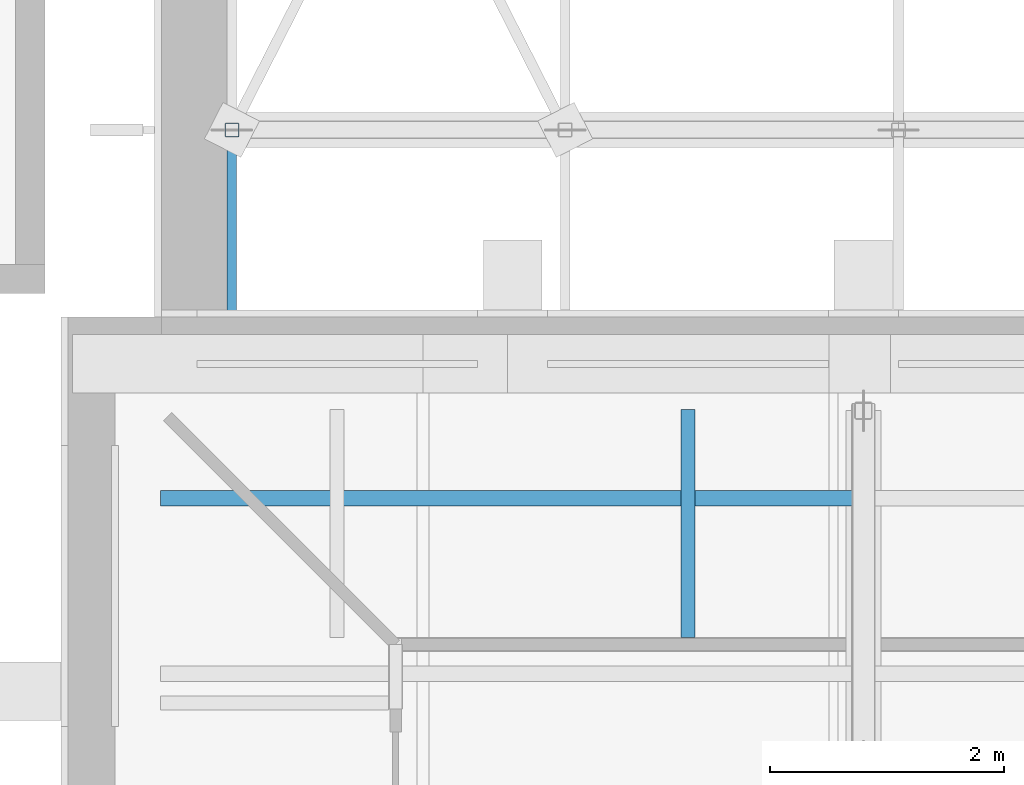
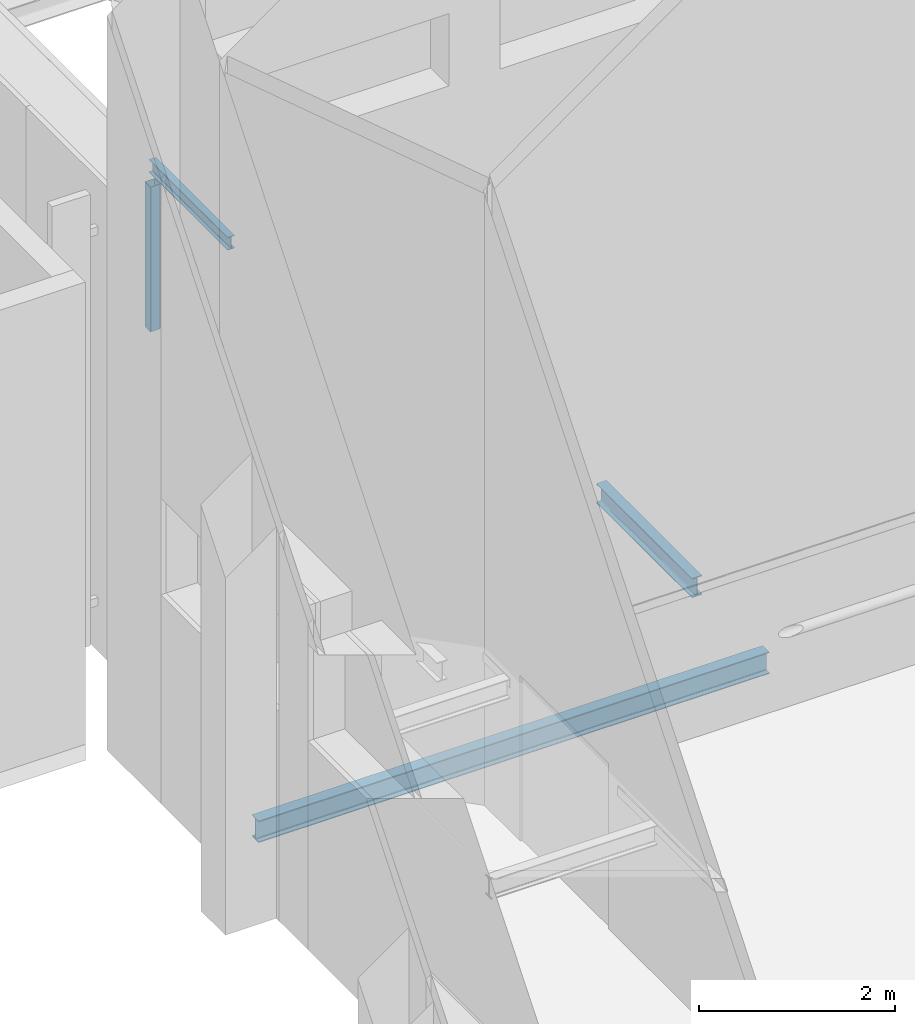
# One storey, part 29 of 55: 3 members, 1 beam.
"""IFC4 building model written with IfcOpenShell, lengths in metres."""

from ifc_helpers import new_model, si_unit, direction, frame, origin, origin_2d, place, context, subcontext, project, spatial, hollow_rectangle, i_section, extrude, material, material_profile, profile_set, type_object, element, save


model = new_model("IFC4")

# Units and contexts
model_context = context("Model", 3, precision=1e-05, world=origin(), true_north=direction((0.0, 1.0)))
body_context = subcontext(model_context, "Body", "Model", "MODEL_VIEW")
ifc_project = project(units=[si_unit("LENGTHUNIT", "METRE"), si_unit("AREAUNIT", "SQUARE_METRE"), si_unit("VOLUMEUNIT", "CUBIC_METRE"), si_unit("PLANEANGLEUNIT", "RADIAN"), si_unit("MASSUNIT", "GRAM", prefix="KILO")], contexts=[model_context])

# Site, building, storey
site_placement = place(None, origin())
site = spatial("IfcSite", under=ifc_project, at=site_placement, CompositionType="ELEMENT")
building_placement = place(site_placement, origin())
building = spatial("IfcBuilding", under=site, at=building_placement, Name="Lunette Opera House", CompositionType="ELEMENT")
storey_placement = place(building_placement, frame((0.0, 0.0, 34.0)))
storey = spatial("IfcBuildingStorey", under=building, at=storey_placement, Name="L06", CompositionType="ELEMENT", Elevation=34.0)

# Members
ifc_material_1 = material(Name="Steel S355", Category="steel")
ifc_material_profile_1 = material_profile(ifc_material_1, i_section(OverallWidth=0.1201171875, OverallDepth=0.239990234375, WebThickness=0.006103515625, FlangeThickness=0.009765625, FilletRadius=0.014892578125, at=origin_2d()), Name="IPE 240")
ifc_profile_set_1 = profile_set([ifc_material_profile_1], Name="Steel S355")
member_type_1 = type_object("IfcMemberType", Name="BRACKET IPE 240", PredefinedType="MEMBER", material=ifc_profile_set_1)
member_1_placement = place(storey_placement, frame((88.5, 120.010009765625, 1.820068359375), z_axis=(0.0, -1.0, 0.0), x_axis=(1.0, 0.0, 0.0)))
element("IfcMember", 1, at=member_1_placement, inside=storey, type_object=member_type_1, Name="mem-ST-L06-LOFT-BKN885-1200", PredefinedType="MEMBER", context=body_context, shape_type="SweptSolid", body=[
    extrude(i_section(OverallWidth=0.1201171875, OverallDepth=0.239990234375, WebThickness=0.006103515625, FlangeThickness=0.009765625, FilletRadius=0.014892578125, at=origin_2d()), origin(), (0.0, 0.0, 1.0), 1.949951171875),
])
ifc_material_2 = material(Name="Steel S355", Category="steel")
ifc_material_profile_2 = material_profile(ifc_material_2, i_section(OverallWidth=0.08203125, OverallDepth=0.159912109375, WebThickness=0.0048828125, FlangeThickness=0.00732421875, FilletRadius=0.009033203125, at=origin_2d()), Name="IPE 160")
ifc_profile_set_2 = profile_set([ifc_material_profile_2], Name="Steel S355")
member_type_2 = type_object("IfcMemberType", Name="PURLIN IPE 160", PredefinedType="PURLIN", material=ifc_profile_set_2)
member_2_placement = place(storey_placement, frame((84.60009765625, 120.800048828125, 5.800048828125), z_axis=(0.0, 1.0, 0.0), x_axis=(-1.0, 0.0, 0.0)))
element("IfcMember", 2, at=member_2_placement, inside=storey, type_object=member_type_2, Name="mem-ST-L06-SR-TR-PU1-1", PredefinedType="PURLIN", context=body_context, shape_type="SweptSolid", body=[
    extrude(i_section(OverallWidth=0.08203125, OverallDepth=0.159912109375, WebThickness=0.0048828125, FlangeThickness=0.00732421875, FilletRadius=0.009033203125, at=origin_2d()), origin(), (0.0, 0.0, 1.0), 1.599853515625),
])

# Beam
ifc_material_3 = material(Name="Steel S355", Category="steel")
ifc_material_profile_3 = material_profile(ifc_material_3, i_section(OverallWidth=0.135009765625, OverallDepth=0.27001953125, WebThickness=0.006591796875, FlangeThickness=0.01025390625, FilletRadius=0.014892578125, at=origin_2d()), Name="IPE 270")
ifc_profile_set_3 = profile_set([ifc_material_profile_3], Name="Steel S355")
beam_type = type_object("IfcBeamType", Name="STEEL BEAM IPE 270", PredefinedType="BEAM", material=ifc_profile_set_3)
beam_placement = place(storey_placement, frame((83.989990234375, 119.25, -0.3349609375), z_axis=(1.0, 0.0, 0.0), x_axis=(0.0, 1.0, 0.0)))
element("IfcBeam", 3, at=beam_placement, inside=storey, type_object=beam_type, Name="beam-ST-L06-GRID-11925-1", PredefinedType="BEAM", context=body_context, shape_type="SweptSolid", body=[
    extrude(i_section(OverallWidth=0.135009765625, OverallDepth=0.27001953125, WebThickness=0.006591796875, FlangeThickness=0.01025390625, FilletRadius=0.014892578125, at=origin_2d()), origin(), (0.0, 0.0, 1.0), 6.010009765625),
])

# Member
ifc_material_4 = material(Name="Steel S355", Category="steel")
ifc_material_profile_4 = material_profile(ifc_material_4, hollow_rectangle(XDim=0.1201171875, YDim=0.1201171875, WallThickness=0.0048828125, InnerFilletRadius=0.0048828125, OuterFilletRadius=0.010009765625, at=origin_2d()), Name="RHS 120X120X5")
ifc_profile_set_4 = profile_set([ifc_material_profile_4], Name="Steel S355")
member_type_3 = type_object("IfcMemberType", Name="VERTICAL RHS 120X120X5", PredefinedType="POST", material=ifc_profile_set_4)
member_3_placement = place(storey_placement, frame((84.60009765625, 122.39990234375, 3.77490234375), z_axis=(0.0, 0.0, 1.0), x_axis=(1.0, 0.0, 0.0)))
element("IfcMember", 4, at=member_3_placement, inside=storey, type_object=member_type_3, Name="mem-ST-L06-SR-TR01-TV1", PredefinedType="POST", context=body_context, shape_type="SweptSolid", body=[
    extrude(hollow_rectangle(XDim=0.1201171875, YDim=0.1201171875, WallThickness=0.0048828125, InnerFilletRadius=0.0048828125, OuterFilletRadius=0.010009765625, at=origin_2d()), origin(), (0.0, 0.0, 1.0), 1.800048828125),
])

save(model, "model.ifc")
